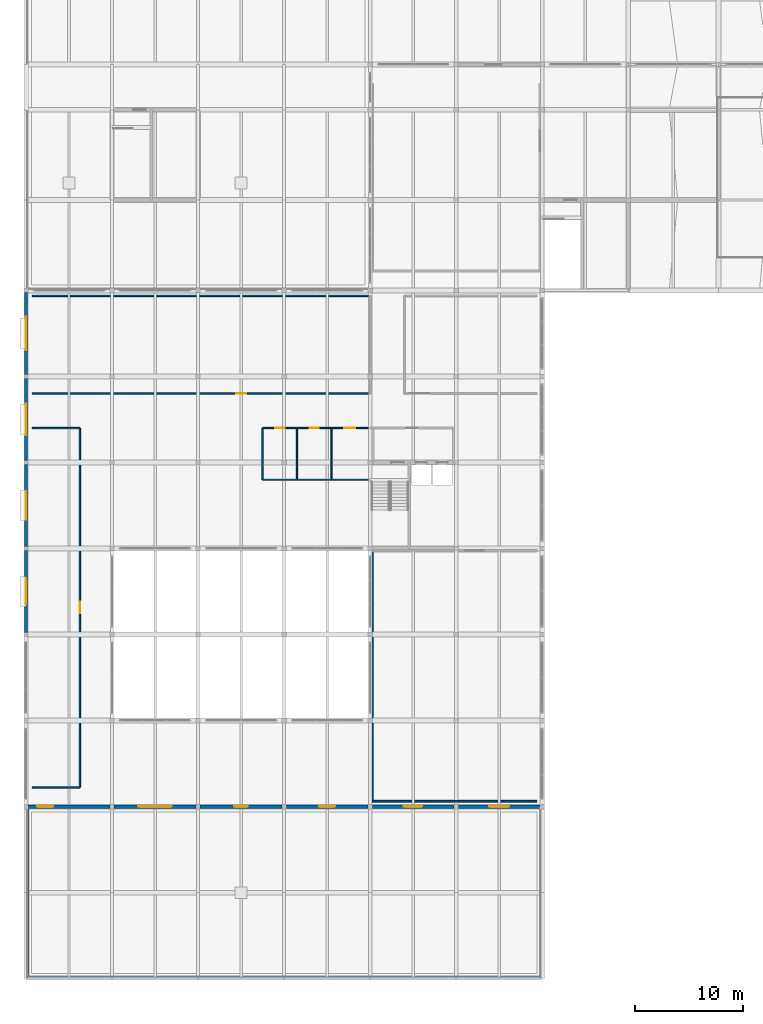
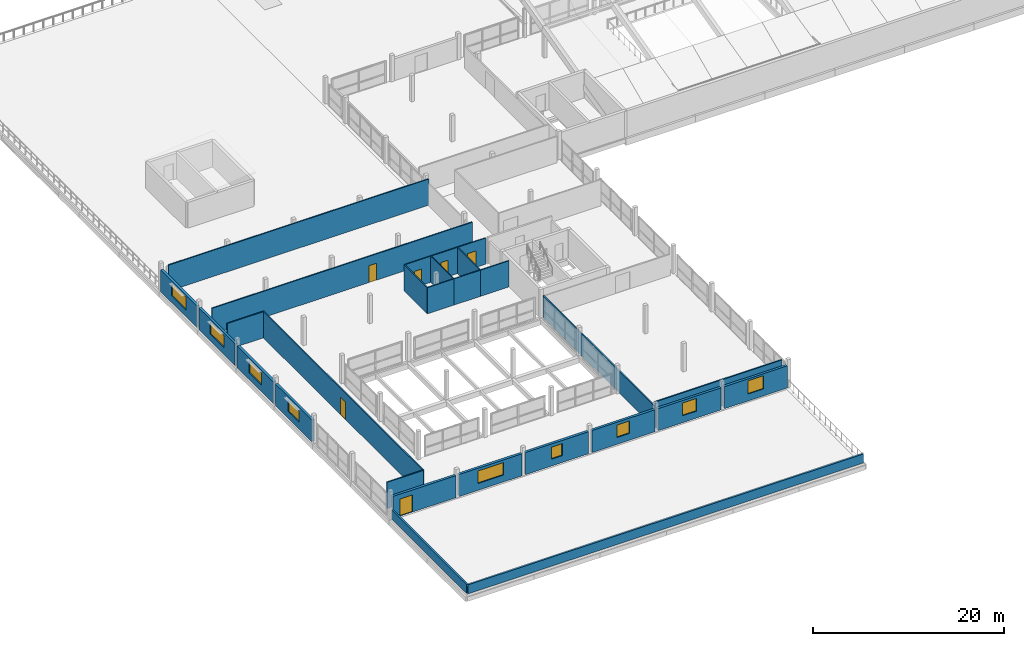
# One storey, part 40 of 51: 28 walls, 9 windows, 6 doors, 15 openings.
"""IFC4 building model written with IfcOpenShell, lengths in metres."""

import ifcopenshell
import ifcopenshell.guid

model = None  # the IFC model being written
_history = None  # IfcOwnerHistory: only IFC2X3 demands one
_inside = {}  # id of a spatial element -> (the spatial element, [elements in it])
_under = {}  # id of a project, library or spatial element -> (it, [spatial elements below it])
_declared = {}  # id of a project -> (the project, [libraries it declares])
_typed = {}  # id of a type object -> (the type object, [elements of that type])
_made_of = {}  # id of a material, layer set ... -> (it, [elements and type objects made of it])


def new_model(schema):
    """Start an empty IFC model of exactly this schema.

    Asked for "IFC4X3", IfcOpenShell would pick the latest addendum, in which some entities
    have other attributes; the version numbers below select the first issue.
    IFC2X3 requires an IfcOwnerHistory on every rooted entity: one is made here for all.
    """
    global model, _history
    if schema == "IFC4X3":
        model = ifcopenshell.file(schema_version=(4, 3, 0, 0))
    else:
        model = ifcopenshell.file(schema=schema)
    _inside.clear()
    _under.clear()
    _declared.clear()
    _typed.clear()
    _made_of.clear()
    _history = None
    if model.schema == "IFC2X3":
        org = make("IfcOrganization", Name="unknown")
        user = make(
            "IfcPersonAndOrganization",
            ThePerson=make("IfcPerson", FamilyName="unknown"),
            TheOrganization=org,
        )
        app = make(
            "IfcApplication",
            ApplicationDeveloper=org,
            Version="unknown",
            ApplicationFullName="unknown",
            ApplicationIdentifier="unknown",
        )
        _history = make(
            "IfcOwnerHistory",
            OwningUser=user,
            OwningApplication=app,
            ChangeAction="ADDED",
            CreationDate=0,
        )
    return model


def make(cls, **values):
    """One entity of the class cls with the attributes given. An attribute that is None is left unset."""
    return model.create_entity(
        cls, **{name: value for name, value in values.items() if value is not None}
    )


def rooted(cls, **values):
    """An entity with a GlobalId (a new one), such as an element, a storey or a relation."""
    return make(cls, GlobalId=ifcopenshell.guid.new(), OwnerHistory=_history, **values)


def si_unit(unit_type, name, prefix=None):
    """IfcSIUnit, for example si_unit("LENGTHUNIT", "METRE", prefix="MILLI")."""
    return make("IfcSIUnit", UnitType=unit_type, Prefix=prefix, Name=name)


def assignment(units):
    """IfcUnitAssignment: the units of a project."""
    return None if units is None else make("IfcUnitAssignment", Units=units)


def point(xyz):
    """IfcCartesianPoint."""
    return None if xyz is None else make("IfcCartesianPoint", Coordinates=xyz)


def direction(xyz):
    """IfcDirection."""
    return None if xyz is None else make("IfcDirection", DirectionRatios=xyz)


def frame(location, z_axis=None, x_axis=None):
    """IfcAxis2Placement3D, a coordinate frame: its origin and axes. An axis left out is left unset."""
    return make(
        "IfcAxis2Placement3D",
        Location=point(location),
        Axis=direction(z_axis),
        RefDirection=direction(x_axis),
    )


def frame_2d(location, x_axis=None):
    """IfcAxis2Placement2D, a coordinate frame in the plane: its origin and x axis."""
    return make(
        "IfcAxis2Placement2D", Location=point(location), RefDirection=direction(x_axis)
    )


def origin():
    """The frame at (0, 0, 0) with its axes left unset."""
    return frame((0.0, 0.0, 0.0))


def place(relative_to, where):
    """IfcLocalPlacement: puts the frame where relative to a parent placement (None: the world)."""
    return make(
        "IfcLocalPlacement", PlacementRelTo=relative_to, RelativePlacement=where
    )


def context(
    kind, dimensions, precision=None, world=None, true_north=None, identifier=None
):
    """IfcGeometricRepresentationContext, for example the 3D "Model" context."""
    return make(
        "IfcGeometricRepresentationContext",
        ContextIdentifier=identifier,
        ContextType=kind,
        CoordinateSpaceDimension=dimensions,
        Precision=precision,
        WorldCoordinateSystem=world,
        TrueNorth=true_north,
    )


def subcontext(parent, identifier, kind, view, scale=None):
    """IfcGeometricRepresentationSubContext, for example "Body" below "Model"."""
    return make(
        "IfcGeometricRepresentationSubContext",
        ContextIdentifier=identifier,
        ContextType=kind,
        ParentContext=parent,
        TargetScale=scale,
        TargetView=view,
    )


def project(units=None, contexts=None):
    """IfcProject with its units and contexts."""
    return rooted(
        "IfcProject",
        Name="project",
        RepresentationContexts=contexts,
        UnitsInContext=assignment(units),
    )


def spatial(cls, under=None, at=None, **own):
    """A site, building, storey or space (cls), placed at a placement, below another one or the project."""
    s = rooted(cls, ObjectPlacement=at, **own)
    if under is not None:
        _under.setdefault(under.id(), (under, []))[1].append(s)
    return s


def profile(cls, at=None, kind="AREA", **sizes):
    """A parametric profile (cls). Its sizes go by their IFC names, for example OverallWidth=200.0."""
    return make(cls, ProfileType=kind, Position=at, **sizes)


def rectangle(**sizes):
    """IfcRectangleProfileDef."""
    return profile("IfcRectangleProfileDef", **sizes)


def extrude(swept, where, along, depth):
    """IfcExtrudedAreaSolid: the profile swept, set in the frame where, extruded along a direction by depth."""
    return make(
        "IfcExtrudedAreaSolid",
        SweptArea=swept,
        Position=where,
        ExtrudedDirection=direction(along),
        Depth=depth,
    )


def shape(context_of_items, identifier, shape_type, items):
    """IfcShapeRepresentation: the items that make up one representation, for example the "Body"."""
    return make(
        "IfcShapeRepresentation",
        ContextOfItems=context_of_items,
        RepresentationIdentifier=identifier,
        RepresentationType=shape_type,
        Items=items,
    )


def material(Name=None, Category=None):
    """IfcMaterial."""
    return make("IfcMaterial", Name=Name, Category=Category)


def layer(
    of_material, thickness, ventilated=None, Name=None, Category=None, Priority=None
):
    """IfcMaterialLayer: one layer of a wall or slab, of a material (None: an air gap)."""
    return make(
        "IfcMaterialLayer",
        Material=of_material,
        LayerThickness=thickness,
        IsVentilated=ventilated,
        Name=Name,
        Category=Category,
        Priority=Priority,
    )


def layer_set(layers, Name=None):
    """IfcMaterialLayerSet."""
    return make("IfcMaterialLayerSet", MaterialLayers=layers, LayerSetName=Name)


def made_of(thing, what):
    """Note that an element or type object is made of a material, layer set ...; save() writes the relation."""
    if what is not None:
        _made_of.setdefault(what.id(), (what, []))[1].append(thing)
    return thing


def type_object(cls, material=None, **own):
    """A type object (cls), such as IfcWallType, which elements share."""
    return made_of(rooted(cls, **own), material)


def element(
    cls,
    number,
    at=None,
    inside=None,
    cuts=None,
    type_object=None,
    material=None,
    context=None,
    identifier="Body",
    shape_type=None,
    held_by="IfcProductDefinitionShape",
    body=None,
    shapes=None,
    **own,
):
    """One element of the class cls, such as IfcWall. Its Tag is "e" and its number.

    at: its placement. inside: the storey or other place that contains it. cuts: it is an
    opening in that element (IfcRelVoidsElement). A single representation is given by context,
    identifier, shape_type and body (its items); several are given by shapes. held_by: the class
    of the entity that holds the representations. save() writes the other relations.
    """
    e = rooted(cls, Tag="e%d" % number, ObjectPlacement=at, **own)
    if body is not None:
        shapes = [shape(context, identifier, shape_type, body)]
    if shapes is not None:
        e.Representation = make(held_by, Representations=shapes)
    if inside is not None:
        _inside.setdefault(inside.id(), (inside, []))[1].append(e)
    if cuts is not None:
        rooted(
            "IfcRelVoidsElement", RelatingBuildingElement=cuts, RelatedOpeningElement=e
        )
    if type_object is not None:
        _typed.setdefault(type_object.id(), (type_object, []))[1].append(e)
    return made_of(e, material)


def fill(opening, filler):
    """IfcRelFillsElement: the door or window that sits in an opening."""
    return rooted(
        "IfcRelFillsElement",
        RelatingOpeningElement=opening,
        RelatedBuildingElement=filler,
    )


def aggregate(whole, parts):
    """IfcRelAggregates: a whole, such as a stair, and the parts it consists of."""
    return rooted("IfcRelAggregates", RelatingObject=whole, RelatedObjects=parts)


def save(model, path):
    """Write the relations noted so far, then the file.

    IfcRelAggregates (storeys below a building ...), IfcRelContainedInSpatialStructure (elements
    in a storey), IfcRelDefinesByType, IfcRelAssociatesMaterial and IfcRelDeclares: one each for
    every whole, place, type object, material and project.
    """
    for whole, parts in _under.values():
        aggregate(whole, parts)
    for where, things in _inside.values():
        rooted(
            "IfcRelContainedInSpatialStructure",
            RelatedElements=things,
            RelatingStructure=where,
        )
    for kind, things in _typed.values():
        rooted("IfcRelDefinesByType", RelatedObjects=things, RelatingType=kind)
    for what, things in _made_of.values():
        rooted("IfcRelAssociatesMaterial", RelatedObjects=things, RelatingMaterial=what)
    for by, libraries in _declared.values():
        rooted("IfcRelDeclares", RelatingContext=by, RelatedDefinitions=libraries)
    model.write(path)


model = new_model("IFC4")

# Units and contexts
model_context = context("Model", 3, precision=1e-05, world=origin(), true_north=direction((0.0, 1.0)))
body_context = subcontext(model_context, "Body", "Model", "MODEL_VIEW")
ifc_project = project(units=[si_unit("LENGTHUNIT", "METRE"), si_unit("AREAUNIT", "SQUARE_METRE"), si_unit("VOLUMEUNIT", "CUBIC_METRE"), si_unit("PLANEANGLEUNIT", "RADIAN"), si_unit("MASSUNIT", "GRAM", prefix="KILO")], contexts=[model_context])

# Site, building, storey
site_placement = place(None, origin())
site = spatial("IfcSite", under=ifc_project, at=site_placement, CompositionType="ELEMENT")
building_placement = place(site_placement, origin())
building = spatial("IfcBuilding", under=site, at=building_placement, Name="Vharandega Faculty of Natural Sciences", CompositionType="ELEMENT")
storey_placement = place(building_placement, frame((0.0, 0.0, 18.0)))
storey = spatial("IfcBuildingStorey", under=building, at=storey_placement, Name="L04", CompositionType="ELEMENT", Elevation=18.0)

# Walls
ifc_material_1 = material(Name="Gypsum fire-board on steel stud", Category="steel")
ifc_layer_1 = layer(ifc_material_1, 0.159912109375, Name="Gypsum fire-board on steel stud")
ifc_layer_set_1 = layer_set([ifc_layer_1], Name="Gypsum fire-board on steel stud")
wall_type_1 = type_object("IfcWallType", Name="Laboratory Fire Corridor Wall 160", PredefinedType="PARTITIONING", material=ifc_layer_set_1)
wall_1_placement = place(storey_placement, frame((32.199951171875, 16.5, 0.0), z_axis=(0.0, 0.0, 1.0), x_axis=(1.0, 0.0, 0.0)))
element("IfcWall", 1, at=wall_1_placement, inside=storey, type_object=wall_type_1, Name="Interior Wall PW-L04-R02S", PredefinedType="PARTITIONING", context=body_context, shape_type="SweptSolid", body=[
    extrude(rectangle(XDim=15.300048828125, YDim=0.159912109375, at=frame_2d((7.64990234375, 0.0))), origin(), (0.0, 0.0, 1.0), 3.340087890625),
])
wall_2_placement = place(storey_placement, frame((32.199951171875, 16.5, 0.0), z_axis=(0.0, 0.0, 1.0), x_axis=(0.0, 1.0, 0.0)))
element("IfcWall", 2, at=wall_2_placement, inside=storey, type_object=wall_type_1, Name="Interior Wall PW-L04-R02W", PredefinedType="PARTITIONING", context=body_context, shape_type="SweptSolid", body=[
    extrude(rectangle(XDim=23.300048828125, YDim=0.159912109375, at=frame_2d((11.64990234375, 0.0))), origin(), (0.0, 0.0, 1.0), 2.780029296875),
])

# Wall, opening, window
ifc_material_2 = material(Name="Precast concrete C40/50", Category="concrete")
ifc_layer_2 = layer(ifc_material_2, 0.300048828125, Name="Precast concrete C40/50")
ifc_layer_set_2 = layer_set([ifc_layer_2], Name="Precast concrete C40/50")
wall_type_2 = type_object("IfcWallType", Name="Polychrome Precast Facade Wall 300", PredefinedType="SOLIDWALL", material=ifc_layer_set_2)
wall_3_placement = place(storey_placement, frame((0.0, 32.197998046875, 0.0), z_axis=(0.0, 0.0, 1.0), x_axis=(0.0, 1.0, 0.0)))
wall_3 = element("IfcWall", 3, at=wall_3_placement, inside=storey, type_object=wall_type_2, Name="Exterior Wall EW-V5W-L04-E", PredefinedType="SOLIDWALL", context=body_context, shape_type="SweptSolid", body=[
    extrude(rectangle(XDim=7.60400390625, YDim=0.300048828125, at=frame_2d((3.802001953125, 0.0))), origin(), (0.0, 0.0, 1.0), 2.780029296875),
])
opening_1_placement = place(wall_3_placement, frame((2.626953125, 0.0, 0.8798828125)))
opening_1 = element("IfcOpeningElement", 4, at=opening_1_placement, cuts=wall_3, Name="Opening WN-35", PredefinedType="OPENING", context=body_context, shape_type="SweptSolid", body=[
    extrude(rectangle(XDim=2.35009765625, YDim=1.39990234375, at=frame_2d((1.175048828125, 0.699951171875))), frame((0.0, 0.16015625, 0.0), z_axis=(0.0, -1.0, 0.0), x_axis=(1.0, 0.0, 0.0)), (0.0, 0.0, 1.0), 0.320068359375),
])
ifc_material_3 = material(Name="Double-glazed solar-control glass in thermally broken aluminium frame", Category="aluminium")
window_type_1 = type_object("IfcWindowType", Name="WIN-SEM-235x140", PartitioningType="DOUBLE_PANEL_VERTICAL", PredefinedType="WINDOW", material=ifc_material_3)
window_1_placement = place(opening_1_placement, origin())
window_1 = element("IfcWindow", 5, at=window_1_placement, inside=storey, type_object=window_type_1, Name="Window WIN-L04-0259", OverallHeight=1.39990234375, OverallWidth=2.35009765625, PartitioningType="SINGLE_PANEL", PredefinedType="WINDOW", context=body_context, shape_type="SweptSolid", body=[
    extrude(rectangle(XDim=2.35009765625, YDim=1.39990234375, at=frame_2d((1.175048828125, 0.699951171875))), frame((0.0, 0.030029296875, 0.0), z_axis=(0.0, -1.0, 0.0), x_axis=(1.0, 0.0, 0.0)), (0.0, 0.0, 1.0), 0.06005859375),
])
fill(opening_1, window_1)

wall_4_placement = place(storey_placement, frame((0.0, 40.197998046875, 0.0), z_axis=(0.0, 0.0, 1.0), x_axis=(0.0, 1.0, 0.0)))
wall_4 = element("IfcWall", 6, at=wall_4_placement, inside=storey, type_object=wall_type_2, Name="Exterior Wall EW-V5W-L04-F", PredefinedType="SOLIDWALL", context=body_context, shape_type="SweptSolid", body=[
    extrude(rectangle(XDim=7.60400390625, YDim=0.300048828125, at=frame_2d((3.802001953125, 0.0))), origin(), (0.0, 0.0, 1.0), 2.780029296875),
])
opening_2_placement = place(wall_4_placement, frame((2.47705078125, 0.0, 0.8798828125)))
opening_2 = element("IfcOpeningElement", 7, at=opening_2_placement, cuts=wall_4, Name="Opening WN-36", PredefinedType="OPENING", context=body_context, shape_type="SweptSolid", body=[
    extrude(rectangle(XDim=2.64990234375, YDim=1.5, at=frame_2d((1.324951171875, 0.75))), frame((0.0, 0.16015625, 0.0), z_axis=(0.0, -1.0, 0.0), x_axis=(1.0, 0.0, 0.0)), (0.0, 0.0, 1.0), 0.320068359375),
])
ifc_material_4 = material(Name="Double-glazed solar-control glass in thermally broken aluminium frame", Category="aluminium")
window_type_2 = type_object("IfcWindowType", Name="WIN-SEM-265x150", PartitioningType="DOUBLE_PANEL_VERTICAL", PredefinedType="WINDOW", material=ifc_material_4)
window_2_placement = place(opening_2_placement, origin())
window_2 = element("IfcWindow", 8, at=window_2_placement, inside=storey, type_object=window_type_2, Name="Window WIN-L04-0260", OverallHeight=1.5, OverallWidth=2.64990234375, PartitioningType="SINGLE_PANEL", PredefinedType="WINDOW", context=body_context, shape_type="SweptSolid", body=[
    extrude(rectangle(XDim=2.64990234375, YDim=1.5, at=frame_2d((1.324951171875, 0.75))), frame((0.0, 0.030029296875, 0.0), z_axis=(0.0, -1.0, 0.0), x_axis=(1.0, 0.0, 0.0)), (0.0, 0.0, 1.0), 0.06005859375),
])
fill(opening_2, window_2)

wall_5_placement = place(storey_placement, frame((0.0, 48.197998046875, 0.0), z_axis=(0.0, 0.0, 1.0), x_axis=(0.0, 1.0, 0.0)))
wall_5 = element("IfcWall", 9, at=wall_5_placement, inside=storey, type_object=wall_type_2, Name="Exterior Wall EW-V5W-L04-G", PredefinedType="SOLIDWALL", context=body_context, shape_type="SweptSolid", body=[
    extrude(rectangle(XDim=7.60400390625, YDim=0.300048828125, at=frame_2d((3.802001953125, 0.0))), origin(), (0.0, 0.0, 1.0), 2.780029296875),
])
opening_3_placement = place(wall_5_placement, frame((2.326904296875, 0.0, 0.8798828125)))
opening_3 = element("IfcOpeningElement", 10, at=opening_3_placement, cuts=wall_5, Name="Opening WN-37", PredefinedType="OPENING", context=body_context, shape_type="SweptSolid", body=[
    extrude(rectangle(XDim=2.949951171875, YDim=1.550048828125, at=frame_2d((1.47509765625, 0.77490234375))), frame((0.0, 0.16015625, 0.0), z_axis=(0.0, -1.0, 0.0), x_axis=(1.0, 0.0, 0.0)), (0.0, 0.0, 1.0), 0.320068359375),
])
ifc_material_5 = material(Name="Double-glazed solar-control glass in thermally broken aluminium frame", Category="aluminium")
window_type_3 = type_object("IfcWindowType", Name="WIN-SEM-295x155", PartitioningType="DOUBLE_PANEL_VERTICAL", PredefinedType="WINDOW", material=ifc_material_5)
window_3_placement = place(opening_3_placement, origin())
window_3 = element("IfcWindow", 11, at=window_3_placement, inside=storey, type_object=window_type_3, Name="Window WIN-L04-0261", OverallHeight=1.550048828125, OverallWidth=2.949951171875, PartitioningType="SINGLE_PANEL", PredefinedType="WINDOW", context=body_context, shape_type="SweptSolid", body=[
    extrude(rectangle(XDim=2.949951171875, YDim=1.550048828125, at=frame_2d((1.47509765625, 0.77490234375))), frame((0.0, 0.030029296875, 0.0), z_axis=(0.0, -1.0, 0.0), x_axis=(1.0, 0.0, 0.0)), (0.0, 0.0, 1.0), 0.06005859375),
])
fill(opening_3, window_3)

wall_6_placement = place(storey_placement, frame((0.0, 56.197998046875, 0.0), z_axis=(0.0, 0.0, 1.0), x_axis=(0.0, 1.0, 0.0)))
wall_6 = element("IfcWall", 12, at=wall_6_placement, inside=storey, type_object=wall_type_2, Name="Exterior Wall EW-V5W-L04-H", PredefinedType="SOLIDWALL", context=body_context, shape_type="SweptSolid", body=[
    extrude(rectangle(XDim=7.60400390625, YDim=0.300048828125, at=frame_2d((3.802001953125, 0.0))), origin(), (0.0, 0.0, 1.0), 2.780029296875),
])
opening_4_placement = place(wall_6_placement, frame((2.251953125, 0.0, 0.8798828125)))
opening_4 = element("IfcOpeningElement", 13, at=opening_4_placement, cuts=wall_6, Name="Opening WN-38", PredefinedType="OPENING", context=body_context, shape_type="SweptSolid", body=[
    extrude(rectangle(XDim=3.10009765625, YDim=1.60009765625, at=frame_2d((1.550048828125, 0.800048828125))), frame((0.0, 0.16015625, 0.0), z_axis=(0.0, -1.0, 0.0), x_axis=(1.0, 0.0, 0.0)), (0.0, 0.0, 1.0), 0.320068359375),
])
ifc_material_6 = material(Name="Double-glazed solar-control glass in thermally broken aluminium frame", Category="aluminium")
window_type_4 = type_object("IfcWindowType", Name="WIN-SEM-310x160", PartitioningType="DOUBLE_PANEL_VERTICAL", PredefinedType="WINDOW", material=ifc_material_6)
window_4_placement = place(opening_4_placement, origin())
window_4 = element("IfcWindow", 14, at=window_4_placement, inside=storey, type_object=window_type_4, Name="Window WIN-L04-0262", OverallHeight=1.60009765625, OverallWidth=3.10009765625, PartitioningType="SINGLE_PANEL", PredefinedType="WINDOW", context=body_context, shape_type="SweptSolid", body=[
    extrude(rectangle(XDim=3.10009765625, YDim=1.60009765625, at=frame_2d((1.550048828125, 0.800048828125))), frame((0.0, 0.030029296875, 0.0), z_axis=(0.0, -1.0, 0.0), x_axis=(1.0, 0.0, 0.0)), (0.0, 0.0, 1.0), 0.06005859375),
])
fill(opening_4, window_4)

# Wall, opening, door
wall_7_placement = place(storey_placement, frame((7.802001953125, 16.0, 0.0), z_axis=(0.0, 0.0, 1.0), x_axis=(-1.0, 0.0, 0.0)))
wall_7 = element("IfcWall", 15, at=wall_7_placement, inside=storey, type_object=wall_type_2, Name="Exterior Wall EW-V5S-L04-1", PredefinedType="SOLIDWALL", context=body_context, shape_type="SweptSolid", body=[
    extrude(rectangle(XDim=7.60400390625, YDim=0.300048828125, at=frame_2d((3.802001953125, 0.0))), origin(), (0.0, 0.0, 1.0), 2.820068359375),
])
opening_5_placement = place(wall_7_placement, frame((5.251953125, 0.0, 0.0)))
opening_5 = element("IfcOpeningElement", 16, at=opening_5_placement, cuts=wall_7, Name="Opening TD-L04S", PredefinedType="OPENING", context=body_context, shape_type="SweptSolid", body=[
    extrude(rectangle(XDim=1.52001953125, YDim=2.199951171875, at=frame_2d((0.760009765625, 1.10009765625))), frame((0.0, 0.16015625, 0.0), z_axis=(0.0, -1.0, 0.0), x_axis=(1.0, 0.0, 0.0)), (0.0, 0.0, 1.0), 0.320068359375),
])
ifc_material_7 = material(Name="Thermally broken glazed aluminium door", Category="aluminium")
door_type_1 = type_object("IfcDoorType", Name="EXT-TERR-DBL-1520x2200", OperationType="DOUBLE_DOOR_SINGLE_SWING", PredefinedType="DOOR", material=ifc_material_7)
door_1_placement = place(opening_5_placement, origin())
door_1 = element("IfcDoor", 17, at=door_1_placement, inside=storey, type_object=door_type_1, Name="South-West Terrace Access Door TD-L04S", OperationType="DOUBLE_DOOR_SINGLE_SWING", OverallHeight=2.199951171875, OverallWidth=1.52001953125, PredefinedType="DOOR", context=body_context, shape_type="SweptSolid", body=[
    extrude(rectangle(XDim=1.52001953125, YDim=2.199951171875, at=frame_2d((0.760009765625, 1.10009765625))), frame((0.0, 0.02490234375, 0.0), z_axis=(0.0, -1.0, 0.0), x_axis=(1.0, 0.0, 0.0)), (0.0, 0.0, 1.0), 0.050048828125),
])
fill(opening_5, door_1)

# Wall, opening, window
wall_8_placement = place(storey_placement, frame((15.802001953125, 16.0, 0.0), z_axis=(0.0, 0.0, 1.0), x_axis=(-1.0, 0.0, 0.0)))
wall_8 = element("IfcWall", 18, at=wall_8_placement, inside=storey, type_object=wall_type_2, Name="Exterior Wall EW-V5S-L04-2", PredefinedType="SOLIDWALL", context=body_context, shape_type="SweptSolid", body=[
    extrude(rectangle(XDim=7.60400390625, YDim=0.300048828125, at=frame_2d((3.802001953125, 0.0))), origin(), (0.0, 0.0, 1.0), 2.820068359375),
])
opening_6_placement = place(wall_8_placement, frame((2.251953125, 0.0, 0.8798828125)))
opening_6 = element("IfcOpeningElement", 19, at=opening_6_placement, cuts=wall_8, Name="Opening WN-38", PredefinedType="OPENING", context=body_context, shape_type="SweptSolid", body=[
    extrude(rectangle(XDim=3.10009765625, YDim=1.60009765625, at=frame_2d((1.550048828125, 0.800048828125))), frame((0.0, 0.16015625, 0.0), z_axis=(0.0, -1.0, 0.0), x_axis=(1.0, 0.0, 0.0)), (0.0, 0.0, 1.0), 0.320068359375),
])
window_5_placement = place(opening_6_placement, origin())
window_5 = element("IfcWindow", 20, at=window_5_placement, inside=storey, type_object=window_type_4, Name="Window WIN-L04-0263", OverallHeight=1.60009765625, OverallWidth=3.10009765625, PartitioningType="SINGLE_PANEL", PredefinedType="WINDOW", context=body_context, shape_type="SweptSolid", body=[
    extrude(rectangle(XDim=3.10009765625, YDim=1.60009765625, at=frame_2d((1.550048828125, 0.800048828125))), frame((0.0, 0.030029296875, 0.0), z_axis=(0.0, -1.0, 0.0), x_axis=(1.0, 0.0, 0.0)), (0.0, 0.0, 1.0), 0.06005859375),
])
fill(opening_6, window_5)

wall_9_placement = place(storey_placement, frame((23.802001953125, 16.0, 0.0), z_axis=(0.0, 0.0, 1.0), x_axis=(-1.0, 0.0, 0.0)))
wall_9 = element("IfcWall", 21, at=wall_9_placement, inside=storey, type_object=wall_type_2, Name="Exterior Wall EW-V5S-L04-3", PredefinedType="SOLIDWALL", context=body_context, shape_type="SweptSolid", body=[
    extrude(rectangle(XDim=7.60400390625, YDim=0.300048828125, at=frame_2d((3.802001953125, 0.0))), origin(), (0.0, 0.0, 1.0), 2.820068359375),
])
opening_7_placement = place(wall_9_placement, frame((3.162109375, 0.0, 0.8798828125)))
opening_7 = element("IfcOpeningElement", 22, at=opening_7_placement, cuts=wall_9, Name="Opening WN-39", PredefinedType="OPENING", context=body_context, shape_type="SweptSolid", body=[
    extrude(rectangle(XDim=1.280029296875, YDim=1.52001953125, at=frame_2d((0.64013671875, 0.760009765625))), frame((0.0, 0.16015625, 0.0), z_axis=(0.0, -1.0, 0.0), x_axis=(1.0, 0.0, 0.0)), (0.0, 0.0, 1.0), 0.320068359375),
])
ifc_material_8 = material(Name="Double-glazed solar-control glass in thermally broken aluminium frame", Category="aluminium")
window_type_5 = type_object("IfcWindowType", Name="WIN-SEM-128x152", PartitioningType="SINGLE_PANEL", PredefinedType="WINDOW", material=ifc_material_8)
window_6_placement = place(opening_7_placement, origin())
window_6 = element("IfcWindow", 23, at=window_6_placement, inside=storey, type_object=window_type_5, Name="Window WIN-L04-0264", OverallHeight=1.52001953125, OverallWidth=1.280029296875, PartitioningType="SINGLE_PANEL", PredefinedType="WINDOW", context=body_context, shape_type="SweptSolid", body=[
    extrude(rectangle(XDim=1.280029296875, YDim=1.52001953125, at=frame_2d((0.64013671875, 0.760009765625))), frame((0.0, 0.030029296875, 0.0), z_axis=(0.0, -1.0, 0.0), x_axis=(1.0, 0.0, 0.0)), (0.0, 0.0, 1.0), 0.06005859375),
])
fill(opening_7, window_6)

wall_10_placement = place(storey_placement, frame((31.802001953125, 16.0, 0.0), z_axis=(0.0, 0.0, 1.0), x_axis=(-1.0, 0.0, 0.0)))
wall_10 = element("IfcWall", 24, at=wall_10_placement, inside=storey, type_object=wall_type_2, Name="Exterior Wall EW-V5S-L04-4", PredefinedType="SOLIDWALL", context=body_context, shape_type="SweptSolid", body=[
    extrude(rectangle(XDim=7.60400390625, YDim=0.300048828125, at=frame_2d((3.802001953125, 0.0))), origin(), (0.0, 0.0, 1.0), 2.820068359375),
])
opening_8_placement = place(wall_10_placement, frame((3.06201171875, 0.0, 0.8798828125)))
opening_8 = element("IfcOpeningElement", 25, at=opening_8_placement, cuts=wall_10, Name="Opening WN-40", PredefinedType="OPENING", context=body_context, shape_type="SweptSolid", body=[
    extrude(rectangle(XDim=1.47998046875, YDim=1.580078125, at=frame_2d((0.739990234375, 0.7900390625))), frame((0.0, 0.16015625, 0.0), z_axis=(0.0, -1.0, 0.0), x_axis=(1.0, 0.0, 0.0)), (0.0, 0.0, 1.0), 0.320068359375),
])
ifc_material_9 = material(Name="Double-glazed solar-control glass in thermally broken aluminium frame", Category="aluminium")
window_type_6 = type_object("IfcWindowType", Name="WIN-SEM-148x158", PartitioningType="SINGLE_PANEL", PredefinedType="WINDOW", material=ifc_material_9)
window_7_placement = place(opening_8_placement, origin())
window_7 = element("IfcWindow", 26, at=window_7_placement, inside=storey, type_object=window_type_6, Name="Window WIN-L04-0265", OverallHeight=1.580078125, OverallWidth=1.47998046875, PartitioningType="SINGLE_PANEL", PredefinedType="WINDOW", context=body_context, shape_type="SweptSolid", body=[
    extrude(rectangle(XDim=1.47998046875, YDim=1.580078125, at=frame_2d((0.739990234375, 0.7900390625))), frame((0.0, 0.030029296875, 0.0), z_axis=(0.0, -1.0, 0.0), x_axis=(1.0, 0.0, 0.0)), (0.0, 0.0, 1.0), 0.06005859375),
])
fill(opening_8, window_7)

wall_11_placement = place(storey_placement, frame((39.802001953125, 16.0, 0.0), z_axis=(0.0, 0.0, 1.0), x_axis=(-1.0, 0.0, 0.0)))
wall_11 = element("IfcWall", 27, at=wall_11_placement, inside=storey, type_object=wall_type_2, Name="Exterior Wall EW-V5S-L04-5", PredefinedType="SOLIDWALL", context=body_context, shape_type="SweptSolid", body=[
    extrude(rectangle(XDim=7.60400390625, YDim=0.300048828125, at=frame_2d((3.802001953125, 0.0))), origin(), (0.0, 0.0, 1.0), 2.820068359375),
])
opening_9_placement = place(wall_11_placement, frame((2.94189453125, 0.0, 0.8798828125)))
opening_9 = element("IfcOpeningElement", 28, at=opening_9_placement, cuts=wall_11, Name="Opening WN-41", PredefinedType="OPENING", context=body_context, shape_type="SweptSolid", body=[
    extrude(rectangle(XDim=1.719970703125, YDim=1.6201171875, at=frame_2d((0.85986328125, 0.81005859375))), frame((0.0, 0.16015625, 0.0), z_axis=(0.0, -1.0, 0.0), x_axis=(1.0, 0.0, 0.0)), (0.0, 0.0, 1.0), 0.320068359375),
])
ifc_material_10 = material(Name="Double-glazed solar-control glass in thermally broken aluminium frame", Category="aluminium")
window_type_7 = type_object("IfcWindowType", Name="WIN-SEM-172x162", PartitioningType="SINGLE_PANEL", PredefinedType="WINDOW", material=ifc_material_10)
window_8_placement = place(opening_9_placement, origin())
window_8 = element("IfcWindow", 29, at=window_8_placement, inside=storey, type_object=window_type_7, Name="Window WIN-L04-0266", OverallHeight=1.6201171875, OverallWidth=1.719970703125, PartitioningType="SINGLE_PANEL", PredefinedType="WINDOW", context=body_context, shape_type="SweptSolid", body=[
    extrude(rectangle(XDim=1.719970703125, YDim=1.6201171875, at=frame_2d((0.85986328125, 0.81005859375))), frame((0.0, 0.030029296875, 0.0), z_axis=(0.0, -1.0, 0.0), x_axis=(1.0, 0.0, 0.0)), (0.0, 0.0, 1.0), 0.06005859375),
])
fill(opening_9, window_8)

wall_12_placement = place(storey_placement, frame((47.802001953125, 16.0, 0.0), z_axis=(0.0, 0.0, 1.0), x_axis=(-1.0, 0.0, 0.0)))
wall_12 = element("IfcWall", 30, at=wall_12_placement, inside=storey, type_object=wall_type_2, Name="Exterior Wall EW-V5S-L04-6", PredefinedType="SOLIDWALL", context=body_context, shape_type="SweptSolid", body=[
    extrude(rectangle(XDim=7.60400390625, YDim=0.300048828125, at=frame_2d((3.802001953125, 0.0))), origin(), (0.0, 0.0, 1.0), 2.820068359375),
])
opening_10_placement = place(wall_12_placement, frame((2.862060546875, 0.0, 0.8798828125)))
opening_10 = element("IfcOpeningElement", 31, at=opening_10_placement, cuts=wall_12, Name="Opening WN-42", PredefinedType="OPENING", context=body_context, shape_type="SweptSolid", body=[
    extrude(rectangle(XDim=1.8798828125, YDim=1.679931640625, at=frame_2d((0.93994140625, 0.83984375))), frame((0.0, 0.16015625, 0.0), z_axis=(0.0, -1.0, 0.0), x_axis=(1.0, 0.0, 0.0)), (0.0, 0.0, 1.0), 0.320068359375),
])
ifc_material_11 = material(Name="Double-glazed solar-control glass in thermally broken aluminium frame", Category="aluminium")
window_type_8 = type_object("IfcWindowType", Name="WIN-SEM-188x168", PartitioningType="DOUBLE_PANEL_VERTICAL", PredefinedType="WINDOW", material=ifc_material_11)
window_9_placement = place(opening_10_placement, origin())
window_9 = element("IfcWindow", 32, at=window_9_placement, inside=storey, type_object=window_type_8, Name="Window WIN-L04-0267", OverallHeight=1.679931640625, OverallWidth=1.8798828125, PartitioningType="SINGLE_PANEL", PredefinedType="WINDOW", context=body_context, shape_type="SweptSolid", body=[
    extrude(rectangle(XDim=1.8798828125, YDim=1.679931640625, at=frame_2d((0.93994140625, 0.83984375))), frame((0.0, 0.030029296875, 0.0), z_axis=(0.0, -1.0, 0.0), x_axis=(1.0, 0.0, 0.0)), (0.0, 0.0, 1.0), 0.06005859375),
])
fill(opening_10, window_9)

# Walls
ifc_material_12 = material(Name="Precast concrete C40/50", Category="concrete")
ifc_layer_3 = layer(ifc_material_12, 0.219970703125, Name="Precast concrete C40/50")
ifc_layer_set_3 = layer_set([ifc_layer_3], Name="Precast concrete C40/50")
wall_type_3 = type_object("IfcWallType", Name="Roof Masonry Parapet 220", PredefinedType="PARAPET", material=ifc_layer_set_3)
wall_13_placement = place(storey_placement, frame((47.85009765625, 0.14990234375, 0.0), z_axis=(0.0, 0.0, 1.0), x_axis=(-1.0, 0.0, 0.0)))
element("IfcWall", 33, at=wall_13_placement, inside=storey, type_object=wall_type_3, Name="Exterior Wall WP-L04-03", PredefinedType="PARAPET", context=body_context, shape_type="SweptSolid", body=[
    extrude(rectangle(XDim=47.7001953125, YDim=0.219970703125, at=frame_2d((23.85009765625, 0.0))), origin(), (0.0, 0.0, 1.0), 1.14990234375),
])
wall_14_placement = place(storey_placement, frame((0.14990234375, 0.14990234375, 0.0), z_axis=(0.0, 0.0, 1.0), x_axis=(0.0, 1.0, 0.0)))
element("IfcWall", 34, at=wall_14_placement, inside=storey, type_object=wall_type_3, Name="Exterior Wall WP-L04-04", PredefinedType="PARAPET", context=body_context, shape_type="SweptSolid", body=[
    extrude(rectangle(XDim=15.7001953125, YDim=0.219970703125, at=frame_2d((7.85009765625, 0.0))), origin(), (0.0, 0.0, 1.0), 1.14990234375),
])
ifc_material_13 = material(Name="Gypsum acoustic partition", Category="gypsum")
ifc_layer_4 = layer(ifc_material_13, 0.139892578125, Name="Gypsum acoustic partition")
ifc_layer_set_4 = layer_set([ifc_layer_4], Name="Gypsum acoustic partition")
wall_type_4 = type_object("IfcWallType", Name="Room Partition Wall 140", PredefinedType="PARTITIONING", material=ifc_layer_set_4)
for number, where, z_axis, x_axis, name in (
    (35, (0.60009765625, 17.800048828125, 0.0), (0.0, 0.0, 1.0), (1.0, 0.0, 0.0), "Interior Wall PW-L04-R01S"),
    (36, (0.60009765625, 51.199951171875, 0.0), (0.0, 0.0, 1.0), (1.0, 0.0, 0.0), "Interior Wall PW-L04-R01N"),
):
    element("IfcWall", number, at=place(storey_placement, frame(where, z_axis=z_axis, x_axis=x_axis)), inside=storey, type_object=wall_type_4, Name=name, PredefinedType="PARTITIONING", context=body_context, shape_type="SweptSolid", body=[
        extrude(rectangle(XDim=4.39990234375, YDim=0.139892578125, at=frame_2d((2.199951171875, 0.0))), origin(), (0.0, 0.0, 1.0), 3.340087890625),
    ])

# Wall, opening, door
wall_15_placement = place(storey_placement, frame((5.0, 17.800048828125, 0.0), z_axis=(0.0, 0.0, 1.0), x_axis=(0.0, 1.0, 0.0)))
wall_15 = element("IfcWall", 37, at=wall_15_placement, inside=storey, type_object=wall_type_4, Name="Interior Wall PW-L04-R01E", PredefinedType="PARTITIONING", context=body_context, shape_type="SweptSolid", body=[
    extrude(rectangle(XDim=33.39990234375, YDim=0.139892578125, at=frame_2d((16.699951171875, 0.0))), origin(), (0.0, 0.0, 1.0), 3.340087890625),
])
opening_11_placement = place(wall_15_placement, frame((16.159912109375, 0.0, 0.0)))
opening_11 = element("IfcOpeningElement", 38, at=opening_11_placement, cuts=wall_15, Name="Opening D0297", PredefinedType="OPENING", context=body_context, shape_type="SweptSolid", body=[
    extrude(rectangle(XDim=1.080078125, YDim=2.199951171875, at=frame_2d((0.5400390625, 1.10009765625))), frame((0.0, 0.080078125, 0.0), z_axis=(0.0, -1.0, 0.0), x_axis=(1.0, 0.0, 0.0)), (0.0, 0.0, 1.0), 0.159912109375),
])
ifc_material_14 = material(Name="Solid-core hardwood timber fire door", Category="wood")
door_type_2 = type_object("IfcDoorType", Name="ID03-SEMINAR-1080x2200", OperationType="NOTDEFINED", PredefinedType="DOOR", material=ifc_material_14)
door_2_placement = place(opening_11_placement, origin())
door_2 = element("IfcDoor", 39, at=door_2_placement, inside=storey, type_object=door_type_2, Name="Seminar Room 401 Door D0297", OperationType="SINGLE_SWING_RIGHT", OverallHeight=2.199951171875, OverallWidth=1.080078125, PredefinedType="DOOR", context=body_context, shape_type="SweptSolid", body=[
    extrude(rectangle(XDim=1.080078125, YDim=2.199951171875, at=frame_2d((0.5400390625, 1.10009765625))), frame((0.0, 0.02490234375, 0.0), z_axis=(0.0, -1.0, 0.0), x_axis=(1.0, 0.0, 0.0)), (0.0, 0.0, 1.0), 0.050048828125),
])
fill(opening_11, door_2)

wall_16_placement = place(storey_placement, frame((0.60009765625, 54.39990234375, 0.0), z_axis=(0.0, 0.0, 1.0), x_axis=(1.0, 0.0, 0.0)))
wall_16 = element("IfcWall", 40, at=wall_16_placement, inside=storey, type_object=wall_type_4, Name="Interior Wall PW-L04-R03S", PredefinedType="PARTITIONING", context=body_context, shape_type="SweptSolid", body=[
    extrude(rectangle(XDim=31.39990234375, YDim=0.139892578125, at=frame_2d((15.699951171875, 0.0))), origin(), (0.0, 0.0, 1.0), 3.340087890625),
])
opening_12_placement = place(wall_16_placement, frame((18.93994140625, 0.0, 0.0)))
opening_12 = element("IfcOpeningElement", 41, at=opening_12_placement, cuts=wall_16, Name="Opening D0299", PredefinedType="OPENING", context=body_context, shape_type="SweptSolid", body=[
    extrude(rectangle(XDim=0.919921875, YDim=2.14990234375, at=frame_2d((0.4599609375, 1.074951171875))), frame((0.0, 0.080078125, 0.0), z_axis=(0.0, -1.0, 0.0), x_axis=(1.0, 0.0, 0.0)), (0.0, 0.0, 1.0), 0.159912109375),
])
ifc_material_15 = material(Name="Solid-core hardwood timber fire door", Category="wood")
door_type_3 = type_object("IfcDoorType", Name="ID05-OFFICE-0920x2150", OperationType="NOTDEFINED", PredefinedType="DOOR", material=ifc_material_15)
door_3_placement = place(opening_12_placement, origin())
door_3 = element("IfcDoor", 42, at=door_3_placement, inside=storey, type_object=door_type_3, Name="Academic Staff Office Suite 4A Door D0299", OperationType="SINGLE_SWING_LEFT", OverallHeight=2.14990234375, OverallWidth=0.919921875, PredefinedType="DOOR", context=body_context, shape_type="SweptSolid", body=[
    extrude(rectangle(XDim=0.919921875, YDim=2.14990234375, at=frame_2d((0.4599609375, 1.074951171875))), frame((0.0, 0.02490234375, 0.0), z_axis=(0.0, -1.0, 0.0), x_axis=(1.0, 0.0, 0.0)), (0.0, 0.0, 1.0), 0.050048828125),
])
fill(opening_12, door_3)

# Walls
wall_17_placement = place(storey_placement, frame((0.60009765625, 63.5, 0.0), z_axis=(0.0, 0.0, 1.0), x_axis=(1.0, 0.0, 0.0)))
element("IfcWall", 43, at=wall_17_placement, inside=storey, type_object=wall_type_4, Name="Interior Wall PW-L04-R03N", PredefinedType="PARTITIONING", context=body_context, shape_type="SweptSolid", body=[
    extrude(rectangle(XDim=31.39990234375, YDim=0.139892578125, at=frame_2d((15.699951171875, 0.0))), origin(), (0.0, 0.0, 1.0), 3.340087890625),
])
ifc_material_16 = material(Name="Moisture-resistant gypsum partition", Category="gypsum")
ifc_layer_5 = layer(ifc_material_16, 0.1201171875, Name="Moisture-resistant gypsum partition")
ifc_layer_set_5 = layer_set([ifc_layer_5], Name="Moisture-resistant gypsum partition")
wall_type_5 = type_object("IfcWallType", Name="Sanitary Wet Wall 120", PredefinedType="PARTITIONING", material=ifc_layer_set_5)
wall_18_placement = place(storey_placement, frame((22.0, 46.39990234375, 0.0), z_axis=(0.0, 0.0, 1.0), x_axis=(1.0, 0.0, 0.0)))
element("IfcWall", 44, at=wall_18_placement, inside=storey, type_object=wall_type_5, Name="Interior Wall PW-L04-R05S", PredefinedType="PARTITIONING", context=body_context, shape_type="SweptSolid", body=[
    extrude(rectangle(XDim=3.199951171875, YDim=0.1201171875, at=frame_2d((1.60009765625, 0.0))), origin(), (0.0, 0.0, 1.0), 3.340087890625),
])

# Wall, opening, door
wall_19_placement = place(storey_placement, frame((22.0, 51.199951171875, 0.0), z_axis=(0.0, 0.0, 1.0), x_axis=(1.0, 0.0, 0.0)))
wall_19 = element("IfcWall", 45, at=wall_19_placement, inside=storey, type_object=wall_type_5, Name="Interior Wall PW-L04-R05N", PredefinedType="PARTITIONING", context=body_context, shape_type="SweptSolid", body=[
    extrude(rectangle(XDim=3.199951171875, YDim=0.1201171875, at=frame_2d((1.60009765625, 0.0))), origin(), (0.0, 0.0, 1.0), 3.340087890625),
])
opening_13_placement = place(wall_19_placement, frame((1.159912109375, 0.0, 0.0)))
opening_13 = element("IfcOpeningElement", 46, at=opening_13_placement, cuts=wall_19, Name="Opening D0301", PredefinedType="OPENING", context=body_context, shape_type="SweptSolid", body=[
    extrude(rectangle(XDim=0.8798828125, YDim=2.10009765625, at=frame_2d((0.43994140625, 1.050048828125))), frame((0.0, 0.070068359375, 0.0), z_axis=(0.0, -1.0, 0.0), x_axis=(1.0, 0.0, 0.0)), (0.0, 0.0, 1.0), 0.14013671875),
])
ifc_material_17 = material(Name="Solid-core hardwood timber fire door", Category="wood")
door_type_4 = type_object("IfcDoorType", Name="ID06-WC-0880x2100", OperationType="NOTDEFINED", PredefinedType="DOOR", material=ifc_material_17)
door_4_placement = place(opening_13_placement, origin())
door_4 = element("IfcDoor", 47, at=door_4_placement, inside=storey, type_object=door_type_4, Name="L04 Male Washroom Door D0301", OperationType="SINGLE_SWING_RIGHT", OverallHeight=2.10009765625, OverallWidth=0.8798828125, PredefinedType="DOOR", context=body_context, shape_type="SweptSolid", body=[
    extrude(rectangle(XDim=0.8798828125, YDim=2.10009765625, at=frame_2d((0.43994140625, 1.050048828125))), frame((0.0, 0.02490234375, 0.0), z_axis=(0.0, -1.0, 0.0), x_axis=(1.0, 0.0, 0.0)), (0.0, 0.0, 1.0), 0.050048828125),
])
fill(opening_13, door_4)

# Walls
for number, where, z_axis, x_axis, name in (
    (48, (22.0, 46.39990234375, 0.0), (0.0, 0.0, 1.0), (0.0, 1.0, 0.0), "Interior Wall PW-L04-R05W"),
    (49, (25.199951171875, 46.39990234375, 0.0), (0.0, 0.0, 1.0), (0.0, 1.0, 0.0), "Interior Wall PW-L04-R05E"),
):
    element("IfcWall", number, at=place(storey_placement, frame(where, z_axis=z_axis, x_axis=x_axis)), inside=storey, type_object=wall_type_5, Name=name, PredefinedType="PARTITIONING", context=body_context, shape_type="SweptSolid", body=[
        extrude(rectangle(XDim=4.800048828125, YDim=0.1201171875, at=frame_2d((2.39990234375, 0.0))), origin(), (0.0, 0.0, 1.0), 3.340087890625),
    ])
wall_20_placement = place(storey_placement, frame((25.199951171875, 46.39990234375, 0.0), z_axis=(0.0, 0.0, 1.0), x_axis=(1.0, 0.0, 0.0)))
element("IfcWall", 50, at=wall_20_placement, inside=storey, type_object=wall_type_5, Name="Interior Wall PW-L04-R06S", PredefinedType="PARTITIONING", context=body_context, shape_type="SweptSolid", body=[
    extrude(rectangle(XDim=3.199951171875, YDim=0.1201171875, at=frame_2d((1.60009765625, 0.0))), origin(), (0.0, 0.0, 1.0), 3.340087890625),
])

# Wall, opening, door
wall_21_placement = place(storey_placement, frame((25.199951171875, 51.199951171875, 0.0), z_axis=(0.0, 0.0, 1.0), x_axis=(1.0, 0.0, 0.0)))
wall_21 = element("IfcWall", 51, at=wall_21_placement, inside=storey, type_object=wall_type_5, Name="Interior Wall PW-L04-R06N", PredefinedType="PARTITIONING", context=body_context, shape_type="SweptSolid", body=[
    extrude(rectangle(XDim=3.199951171875, YDim=0.1201171875, at=frame_2d((1.60009765625, 0.0))), origin(), (0.0, 0.0, 1.0), 3.340087890625),
])
opening_14_placement = place(wall_21_placement, frame((1.159912109375, 0.0, 0.0)))
opening_14 = element("IfcOpeningElement", 52, at=opening_14_placement, cuts=wall_21, Name="Opening D0302", PredefinedType="OPENING", context=body_context, shape_type="SweptSolid", body=[
    extrude(rectangle(XDim=0.8798828125, YDim=2.10009765625, at=frame_2d((0.43994140625, 1.050048828125))), frame((0.0, 0.070068359375, 0.0), z_axis=(0.0, -1.0, 0.0), x_axis=(1.0, 0.0, 0.0)), (0.0, 0.0, 1.0), 0.14013671875),
])
door_5_placement = place(opening_14_placement, origin())
door_5 = element("IfcDoor", 53, at=door_5_placement, inside=storey, type_object=door_type_4, Name="L04 Female Washroom Door D0302", OperationType="SINGLE_SWING_LEFT", OverallHeight=2.10009765625, OverallWidth=0.8798828125, PredefinedType="DOOR", context=body_context, shape_type="SweptSolid", body=[
    extrude(rectangle(XDim=0.8798828125, YDim=2.10009765625, at=frame_2d((0.43994140625, 1.050048828125))), frame((0.0, 0.02490234375, 0.0), z_axis=(0.0, -1.0, 0.0), x_axis=(1.0, 0.0, 0.0)), (0.0, 0.0, 1.0), 0.050048828125),
])
fill(opening_14, door_5)

# Walls
wall_22_placement = place(storey_placement, frame((28.39990234375, 46.39990234375, 0.0), z_axis=(0.0, 0.0, 1.0), x_axis=(0.0, 1.0, 0.0)))
element("IfcWall", 54, at=wall_22_placement, inside=storey, type_object=wall_type_5, Name="Interior Wall PW-L04-R06E", PredefinedType="PARTITIONING", context=body_context, shape_type="SweptSolid", body=[
    extrude(rectangle(XDim=4.800048828125, YDim=0.1201171875, at=frame_2d((2.39990234375, 0.0))), origin(), (0.0, 0.0, 1.0), 3.340087890625),
])
wall_23_placement = place(storey_placement, frame((28.39990234375, 46.39990234375, 0.0), z_axis=(0.0, 0.0, 1.0), x_axis=(1.0, 0.0, 0.0)))
element("IfcWall", 55, at=wall_23_placement, inside=storey, type_object=wall_type_5, Name="Interior Wall PW-L04-R07S", PredefinedType="PARTITIONING", context=body_context, shape_type="SweptSolid", body=[
    extrude(rectangle(XDim=3.400146484375, YDim=0.1201171875, at=frame_2d((1.7001953125, 0.0))), origin(), (0.0, 0.0, 1.0), 3.340087890625),
])

# Wall, opening, door
wall_24_placement = place(storey_placement, frame((28.39990234375, 51.199951171875, 0.0), z_axis=(0.0, 0.0, 1.0), x_axis=(1.0, 0.0, 0.0)))
wall_24 = element("IfcWall", 56, at=wall_24_placement, inside=storey, type_object=wall_type_5, Name="Interior Wall PW-L04-R07N", PredefinedType="PARTITIONING", context=body_context, shape_type="SweptSolid", body=[
    extrude(rectangle(XDim=3.400146484375, YDim=0.1201171875, at=frame_2d((1.7001953125, 0.0))), origin(), (0.0, 0.0, 1.0), 3.340087890625),
])
opening_15_placement = place(wall_24_placement, frame((1.18994140625, 0.0, 0.0)))
opening_15 = element("IfcOpeningElement", 57, at=opening_15_placement, cuts=wall_24, Name="Opening D0303", PredefinedType="OPENING", context=body_context, shape_type="SweptSolid", body=[
    extrude(rectangle(XDim=1.02001953125, YDim=2.10009765625, at=frame_2d((0.510009765625, 1.050048828125))), frame((0.0, 0.070068359375, 0.0), z_axis=(0.0, -1.0, 0.0), x_axis=(1.0, 0.0, 0.0)), (0.0, 0.0, 1.0), 0.14013671875),
])
ifc_material_18 = material(Name="Solid-core hardwood timber fire door", Category="wood")
door_type_5 = type_object("IfcDoorType", Name="ID07-ACCWC-1020x2100", OperationType="NOTDEFINED", PredefinedType="DOOR", material=ifc_material_18)
door_6_placement = place(opening_15_placement, origin())
door_6 = element("IfcDoor", 58, at=door_6_placement, inside=storey, type_object=door_type_5, Name="L04 Accessible WC Door D0303", OperationType="SINGLE_SWING_RIGHT", OverallHeight=2.10009765625, OverallWidth=1.02001953125, PredefinedType="DOOR", context=body_context, shape_type="SweptSolid", body=[
    extrude(rectangle(XDim=1.02001953125, YDim=2.10009765625, at=frame_2d((0.510009765625, 1.050048828125))), frame((0.0, 0.02490234375, 0.0), z_axis=(0.0, -1.0, 0.0), x_axis=(1.0, 0.0, 0.0)), (0.0, 0.0, 1.0), 0.050048828125),
])
fill(opening_15, door_6)

save(model, "model.ifc")
